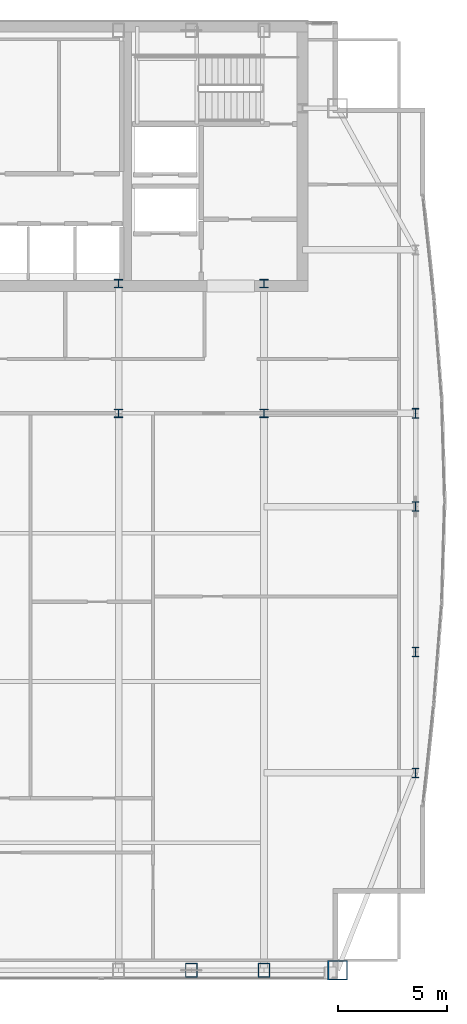
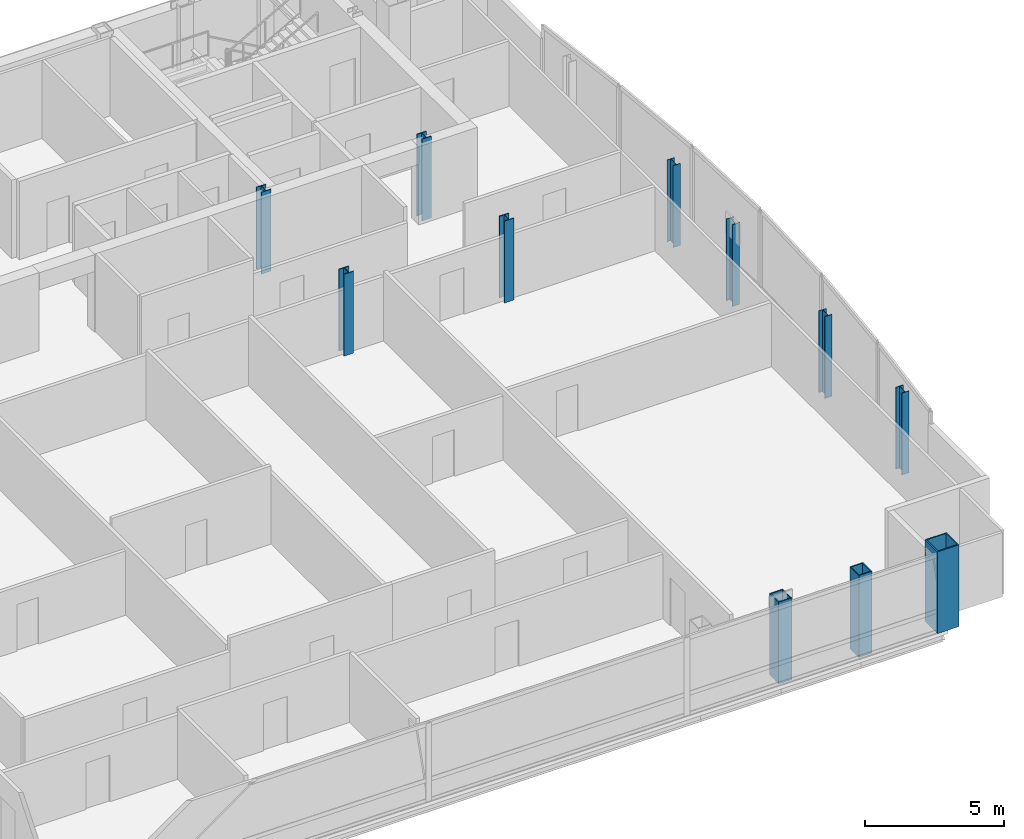
# One storey, part 2 of 27: 11 columns.
"""IFC4 building model written with IfcOpenShell, lengths in metres."""

from ifc_helpers import new_model, si_unit, direction, frame, origin, origin_2d, place, context, subcontext, project, spatial, hollow_rectangle, i_section, extrude, material, material_profile, profile_set, type_object, element, save


model = new_model("IFC4")

# Units and contexts
model_context = context("Model", 3, precision=1e-05, world=origin(), true_north=direction((0.0, 1.0)))
body_context = subcontext(model_context, "Body", "Model", "MODEL_VIEW")
ifc_project = project(units=[si_unit("LENGTHUNIT", "METRE"), si_unit("AREAUNIT", "SQUARE_METRE"), si_unit("VOLUMEUNIT", "CUBIC_METRE"), si_unit("PLANEANGLEUNIT", "RADIAN"), si_unit("MASSUNIT", "GRAM", prefix="KILO")], contexts=[model_context])

# Site, building, storey
site_placement = place(None, origin())
site = spatial("IfcSite", under=ifc_project, at=site_placement, CompositionType="ELEMENT")
building_placement = place(site_placement, origin())
building = spatial("IfcBuilding", under=site, at=building_placement, Name="Khoronbel Lancet Exchange", CompositionType="ELEMENT")
storey_placement = place(building_placement, frame((0.0, 0.0, 343.39990234375)))
storey = spatial("IfcBuildingStorey", under=building, at=storey_placement, Name="L89", CompositionType="ELEMENT", Elevation=343.39990234375)

# Columns
ifc_material_1 = material(Name="Steel S460", Category="steel")
ifc_material_profile_1 = material_profile(ifc_material_1, hollow_rectangle(XDim=0.550048828125, YDim=0.64990234375, WallThickness=0.0400390625, at=origin_2d()), Name="BOX 650x550x40")
ifc_profile_set_1 = profile_set([ifc_material_profile_1], Name="Steel S460")
column_type_1 = type_object("IfcColumnType", Name="COL-EC4", PredefinedType="COLUMN", material=ifc_profile_set_1)
for number, where, z_axis, x_axis, name in (
    (1, (51.33740234375, 10.14990234375, 0.0), (0.0, 0.0, 1.0), (1.0, 0.0, 0.0), "Structural column SC-EM L89"),
    (2, (54.675048828125, 10.14990234375, 0.0), (0.0, 0.0, 1.0), (1.0, 0.0, 0.0), "Structural column SC-E2 L89"),
):
    element("IfcColumn", number, at=place(storey_placement, frame(where, z_axis=z_axis, x_axis=x_axis)), inside=storey, type_object=column_type_1, Name=name, PredefinedType="COLUMN", context=body_context, shape_type="SweptSolid", body=[
        extrude(hollow_rectangle(XDim=0.550048828125, YDim=0.64990234375, WallThickness=0.0400390625, at=origin_2d()), origin(), (0.0, 0.0, 1.0), 3.60009765625),
    ])
ifc_material_2 = material(Name="Steel S355", Category="steel")
ifc_material_profile_2 = material_profile(ifc_material_2, i_section(OverallWidth=0.39892578125, OverallDepth=0.39306640625, WebThickness=0.022705078125, FlangeThickness=0.03662109375, at=origin_2d()), Name="HD 400x287")
ifc_profile_set_2 = profile_set([ifc_material_profile_2], Name="Steel S355")
column_type_2 = type_object("IfcColumnType", Name="COL-IC4", PredefinedType="COLUMN", material=ifc_profile_set_2)
for number, where, z_axis, x_axis, name in (
    (3, (48.0, 35.699951171875, 0.0), (0.0, 0.0, 1.0), (1.0, 0.0, 0.0), "Spine gravity column TC3 L89"),
    (4, (48.0, 41.64990234375, 0.0), (0.0, 0.0, 1.0), (1.0, 0.0, 0.0), "Core-embedded steel column CTC3 L89"),
    (5, (54.675048828125, 35.699951171875, 0.0), (0.0, 0.0, 1.0), (1.0, 0.0, 0.0), "Spine gravity column TC4 L89"),
    (6, (54.675048828125, 41.64990234375, 0.0), (0.0, 0.0, 1.0), (1.0, 0.0, 0.0), "Core-embedded steel column CTC4 L89"),
):
    element("IfcColumn", number, at=place(storey_placement, frame(where, z_axis=z_axis, x_axis=x_axis)), inside=storey, type_object=column_type_2, Name=name, PredefinedType="COLUMN", context=body_context, shape_type="SweptSolid", body=[
        extrude(i_section(OverallWidth=0.39892578125, OverallDepth=0.39306640625, WebThickness=0.022705078125, FlangeThickness=0.03662109375, at=origin_2d()), origin(), (0.0, 0.0, 1.0), 3.60009765625),
    ])
ifc_material_profile_3 = material_profile(ifc_material_2, i_section(OverallWidth=0.300048828125, OverallDepth=0.449951171875, WebThickness=0.013916015625, FlangeThickness=0.02587890625, at=origin_2d()), Name="HEB 450")
ifc_profile_set_3 = profile_set([ifc_material_profile_3], Name="Steel S355")
column_type_3 = type_object("IfcColumnType", Name="COL-LC2", PredefinedType="COLUMN", material=ifc_profile_set_3)
for number, where, z_axis, x_axis, name in (
    (7, (61.6298828125, 19.199951171875, 0.0), (0.0, 0.0, 1.0), (1.0, 0.0, 0.0), "Structural column EC-1 L89"),
    (8, (61.6298828125, 24.75, 0.0), (0.0, 0.0, 1.0), (1.0, 0.0, 0.0), "Structural column EC-2 L89"),
    (9, (61.6298828125, 31.425048828125, 0.0), (0.0, 0.0, 1.0), (1.0, 0.0, 0.0), "Structural column EC-M L89"),
    (10, (61.6298828125, 35.699951171875, 0.0), (0.0, 0.0, 1.0), (1.0, 0.0, 0.0), "Structural column EC-3 L89"),
):
    element("IfcColumn", number, at=place(storey_placement, frame(where, z_axis=z_axis, x_axis=x_axis)), inside=storey, type_object=column_type_3, Name=name, PredefinedType="COLUMN", context=body_context, shape_type="SweptSolid", body=[
        extrude(i_section(OverallWidth=0.300048828125, OverallDepth=0.449951171875, WebThickness=0.013916015625, FlangeThickness=0.02587890625, at=origin_2d()), origin(), (0.0, 0.0, 1.0), 3.60009765625),
    ])
ifc_material_profile_4 = material_profile(ifc_material_1, hollow_rectangle(XDim=0.89990234375, YDim=0.89990234375, WallThickness=0.050048828125, at=origin_2d()), Name="BOX 900x900x50")
ifc_profile_set_4 = profile_set([ifc_material_profile_4], Name="Steel S460")
column_type_4 = type_object("IfcColumnType", Name="COL-MC7", PredefinedType="COLUMN", material=ifc_profile_set_4)
column_placement = place(storey_placement, frame((58.050048828125, 10.14990234375, 0.0), z_axis=(0.0, 0.0, 1.0), x_axis=(1.0, 0.0, 0.0)))
element("IfcColumn", 11, at=column_placement, inside=storey, type_object=column_type_4, Name="Structural column MC-SE L89", PredefinedType="COLUMN", context=body_context, shape_type="SweptSolid", body=[
    extrude(hollow_rectangle(XDim=0.89990234375, YDim=0.89990234375, WallThickness=0.050048828125, at=origin_2d()), origin(), (0.0, 0.0, 1.0), 3.60009765625),
])

save(model, "model.ifc")
